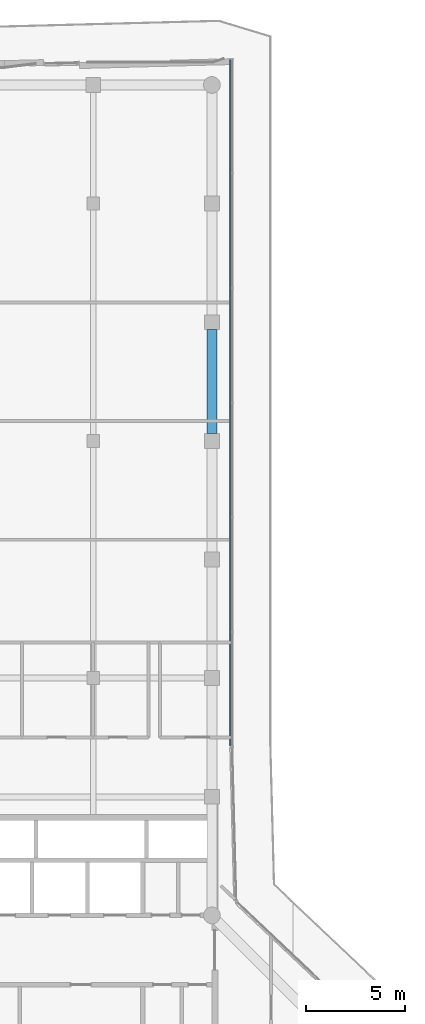
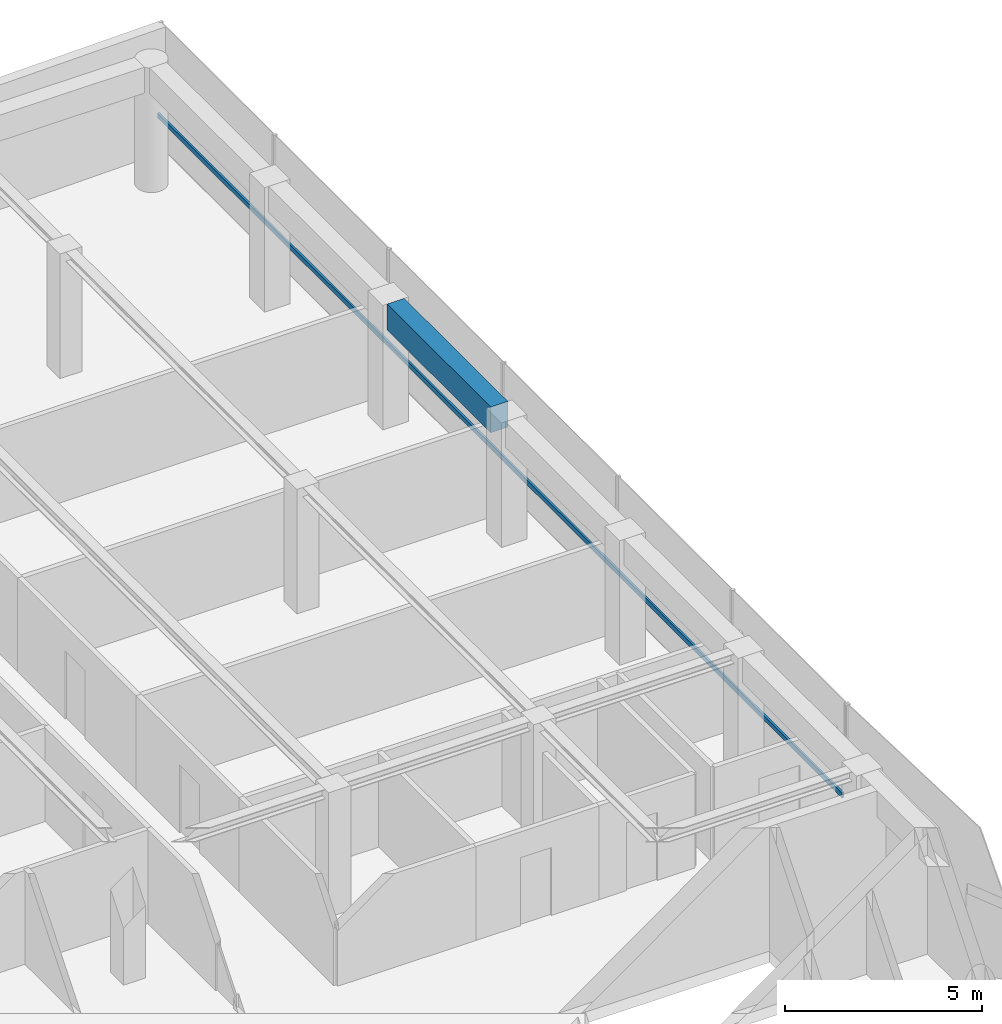
# One storey, part 12 of 20: 1 beam, 1 member, 1 element without a shape of its own.
"""IFC4 building model written with IfcOpenShell, lengths in metres."""

from ifc_helpers import new_model, si_unit, direction, frame, origin, origin_2d, place, context, subcontext, project, spatial, rectangle, extrude, material, layer, layer_set, material_profile, profile_set, type_object, element, aggregate, save


model = new_model("IFC4")

# Units and contexts
model_context = context("Model", 3, precision=1e-05, world=origin(), true_north=direction((0.0, 1.0)))
body_context = subcontext(model_context, "Body", "Model", "MODEL_VIEW")
ifc_project = project(units=[si_unit("LENGTHUNIT", "METRE"), si_unit("AREAUNIT", "SQUARE_METRE"), si_unit("VOLUMEUNIT", "CUBIC_METRE"), si_unit("PLANEANGLEUNIT", "RADIAN"), si_unit("MASSUNIT", "GRAM", prefix="KILO")], contexts=[model_context])

# Site, building, storey
site_placement = place(None, origin())
site = spatial("IfcSite", under=ifc_project, at=site_placement, CompositionType="ELEMENT")
building_placement = place(site_placement, origin())
building = spatial("IfcBuilding", under=site, at=building_placement, Name="Welwitschia Terrace Campus", CompositionType="ELEMENT")
storey_placement = place(building_placement, frame((0.0, 0.0, 293.60009765625)))
storey = spatial("IfcBuildingStorey", under=building, at=storey_placement, Name="L65", CompositionType="ELEMENT", Elevation=293.60009765625)

# Beam
ifc_material_1 = material(Name="Concrete C50/60", Category="concrete")
ifc_material_profile_1 = material_profile(ifc_material_1, rectangle(XDim=0.5, YDim=0.800048828125, at=origin_2d()))
ifc_profile_set_1 = profile_set([ifc_material_profile_1], Name="Concrete C50/60")
beam_type = type_object("IfcBeamType", Name="Ring spandrel 500x800", PredefinedType="SPANDREL", material=ifc_profile_set_1)
beam_placement = place(storey_placement, frame((24.0, 44.37548828125, 3.449951171875), z_axis=(0.0, 1.0, 0.0), x_axis=(-1.0, 0.0, 0.0)))
element("IfcBeam", 1, at=beam_placement, inside=storey, type_object=beam_type, Name="Spandrel SP4", PredefinedType="SPANDREL", context=body_context, shape_type="SweptSolid", body=[
    extrude(rectangle(XDim=0.5, YDim=0.800048828125, at=origin_2d()), origin(), (0.0, 0.0, 1.0), 5.2490234375),
])

# Curtain wall, member
ifc_material_2 = material(Name="Bronze anodised aluminium", Category="aluminium")
ifc_layer = layer(ifc_material_2, 0.1201171875)
ifc_layer_set = layer_set([ifc_layer], Name="Bronze anodised aluminium")
curtain_wall_type = type_object("IfcCurtainWallType", Name="Curtain wall CW2 tower 6000", PredefinedType="NOTDEFINED", material=ifc_layer_set)
curtain_wall_placement = place(storey_placement, origin())
curtain_wall = element("IfcCurtainWall", 2, at=curtain_wall_placement, inside=storey, type_object=curtain_wall_type, Name="CW L65.9.0", PredefinedType="NOTDEFINED")
ifc_material_3 = material(Name="Bronze anodised aluminium", Category="aluminium")
ifc_material_profile_2 = material_profile(ifc_material_3, rectangle(XDim=0.06005859375, YDim=0.14990234375, at=origin_2d()))
ifc_profile_set_2 = profile_set([ifc_material_profile_2], Name="Bronze anodised aluminium")
member_type = type_object("IfcMemberType", Name="Transom 60x150", PredefinedType="USERDEFINED", material=ifc_profile_set_2)
member_placement = place(storey_placement, frame((24.93994140625, 28.5927734375, 1.0), z_axis=(0.0, 1.0, 0.0), x_axis=(-1.0, 0.0, 0.0)))
member = element("IfcMember", 3, at=member_placement, type_object=member_type, Name="Transom L65.9.0", ObjectType="TRANSOM", PredefinedType="USERDEFINED", context=body_context, shape_type="SweptSolid", body=[
    extrude(rectangle(XDim=0.06005859375, YDim=0.14990234375, at=origin_2d()), origin(), (0.0, 0.0, 1.0), 34.6787109375),
])
aggregate(curtain_wall, [member])

save(model, "model.ifc")
